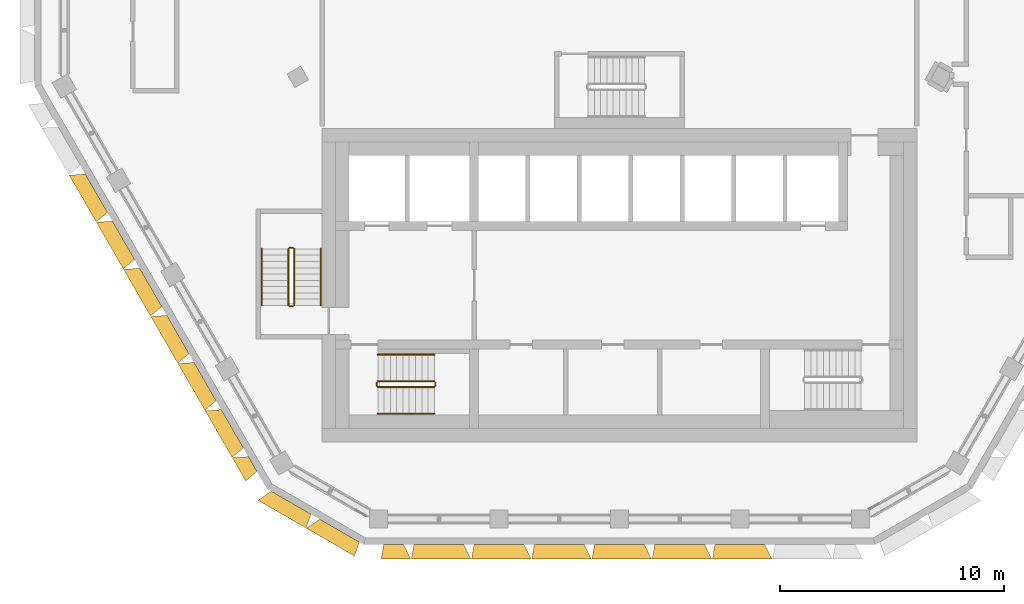
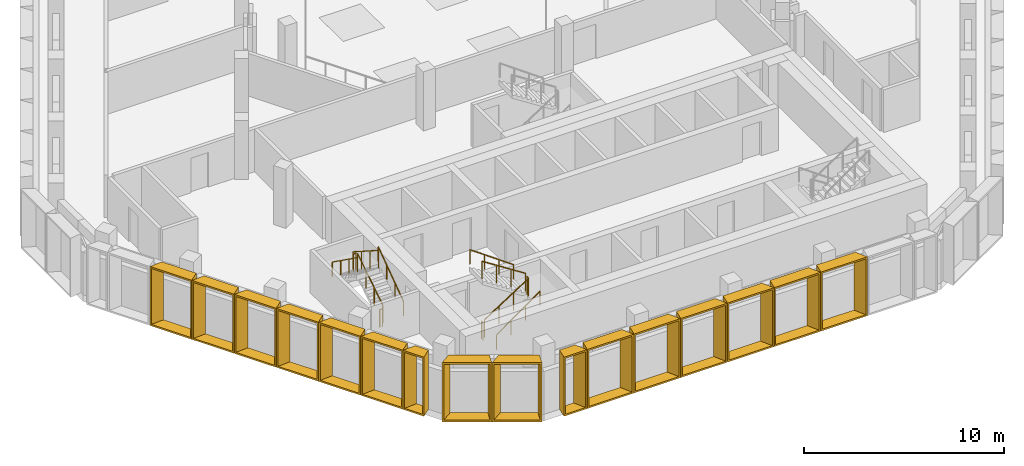
# One storey, part 20 of 24: 16 shading devices, 12 railings.
"""IFC4 building model written with IfcOpenShell, lengths in metres."""

import ifcopenshell
import ifcopenshell.guid

model = None  # the IFC model being written
_history = None  # IfcOwnerHistory: only IFC2X3 demands one
_inside = {}  # id of a spatial element -> (the spatial element, [elements in it])
_under = {}  # id of a project, library or spatial element -> (it, [spatial elements below it])
_declared = {}  # id of a project -> (the project, [libraries it declares])
_typed = {}  # id of a type object -> (the type object, [elements of that type])
_made_of = {}  # id of a material, layer set ... -> (it, [elements and type objects made of it])


def new_model(schema):
    """Start an empty IFC model of exactly this schema.

    Asked for "IFC4X3", IfcOpenShell would pick the latest addendum, in which some entities
    have other attributes; the version numbers below select the first issue.
    IFC2X3 requires an IfcOwnerHistory on every rooted entity: one is made here for all.
    """
    global model, _history
    if schema == "IFC4X3":
        model = ifcopenshell.file(schema_version=(4, 3, 0, 0))
    else:
        model = ifcopenshell.file(schema=schema)
    _inside.clear()
    _under.clear()
    _declared.clear()
    _typed.clear()
    _made_of.clear()
    _history = None
    if model.schema == "IFC2X3":
        org = make("IfcOrganization", Name="unknown")
        user = make(
            "IfcPersonAndOrganization",
            ThePerson=make("IfcPerson", FamilyName="unknown"),
            TheOrganization=org,
        )
        app = make(
            "IfcApplication",
            ApplicationDeveloper=org,
            Version="unknown",
            ApplicationFullName="unknown",
            ApplicationIdentifier="unknown",
        )
        _history = make(
            "IfcOwnerHistory",
            OwningUser=user,
            OwningApplication=app,
            ChangeAction="ADDED",
            CreationDate=0,
        )
    return model


def make(cls, **values):
    """One entity of the class cls with the attributes given. An attribute that is None is left unset."""
    return model.create_entity(
        cls, **{name: value for name, value in values.items() if value is not None}
    )


def entity(cls, *values):
    """Any entity or typed value of the class cls, its attributes in the order of the schema. None: left unset."""
    e = model.create_entity(cls)
    for i, value in enumerate(values):
        if value is not None:
            e[i] = value
    return e


def rooted(cls, **values):
    """An entity with a GlobalId (a new one), such as an element, a storey or a relation."""
    return make(cls, GlobalId=ifcopenshell.guid.new(), OwnerHistory=_history, **values)


def si_unit(unit_type, name, prefix=None):
    """IfcSIUnit, for example si_unit("LENGTHUNIT", "METRE", prefix="MILLI")."""
    return make("IfcSIUnit", UnitType=unit_type, Prefix=prefix, Name=name)


def assignment(units):
    """IfcUnitAssignment: the units of a project."""
    return None if units is None else make("IfcUnitAssignment", Units=units)


def point(xyz):
    """IfcCartesianPoint."""
    return None if xyz is None else make("IfcCartesianPoint", Coordinates=xyz)


def direction(xyz):
    """IfcDirection."""
    return None if xyz is None else make("IfcDirection", DirectionRatios=xyz)


def frame(location, z_axis=None, x_axis=None):
    """IfcAxis2Placement3D, a coordinate frame: its origin and axes. An axis left out is left unset."""
    return make(
        "IfcAxis2Placement3D",
        Location=point(location),
        Axis=direction(z_axis),
        RefDirection=direction(x_axis),
    )


def frame_2d(location, x_axis=None):
    """IfcAxis2Placement2D, a coordinate frame in the plane: its origin and x axis."""
    return make(
        "IfcAxis2Placement2D", Location=point(location), RefDirection=direction(x_axis)
    )


def origin():
    """The frame at (0, 0, 0) with its axes left unset."""
    return frame((0.0, 0.0, 0.0))


def origin_2d():
    """The frame at (0, 0) in the plane with its x axis left unset."""
    return frame_2d((0.0, 0.0))


def place(relative_to, where):
    """IfcLocalPlacement: puts the frame where relative to a parent placement (None: the world)."""
    return make(
        "IfcLocalPlacement", PlacementRelTo=relative_to, RelativePlacement=where
    )


def context(
    kind, dimensions, precision=None, world=None, true_north=None, identifier=None
):
    """IfcGeometricRepresentationContext, for example the 3D "Model" context."""
    return make(
        "IfcGeometricRepresentationContext",
        ContextIdentifier=identifier,
        ContextType=kind,
        CoordinateSpaceDimension=dimensions,
        Precision=precision,
        WorldCoordinateSystem=world,
        TrueNorth=true_north,
    )


def subcontext(parent, identifier, kind, view, scale=None):
    """IfcGeometricRepresentationSubContext, for example "Body" below "Model"."""
    return make(
        "IfcGeometricRepresentationSubContext",
        ContextIdentifier=identifier,
        ContextType=kind,
        ParentContext=parent,
        TargetScale=scale,
        TargetView=view,
    )


def project(units=None, contexts=None):
    """IfcProject with its units and contexts."""
    return rooted(
        "IfcProject",
        Name="project",
        RepresentationContexts=contexts,
        UnitsInContext=assignment(units),
    )


def spatial(cls, under=None, at=None, **own):
    """A site, building, storey or space (cls), placed at a placement, below another one or the project."""
    s = rooted(cls, ObjectPlacement=at, **own)
    if under is not None:
        _under.setdefault(under.id(), (under, []))[1].append(s)
    return s


def profile(cls, at=None, kind="AREA", **sizes):
    """A parametric profile (cls). Its sizes go by their IFC names, for example OverallWidth=200.0."""
    return make(cls, ProfileType=kind, Position=at, **sizes)


def rectangle(**sizes):
    """IfcRectangleProfileDef."""
    return profile("IfcRectangleProfileDef", **sizes)


def extrude(swept, where, along, depth):
    """IfcExtrudedAreaSolid: the profile swept, set in the frame where, extruded along a direction by depth."""
    return make(
        "IfcExtrudedAreaSolid",
        SweptArea=swept,
        Position=where,
        ExtrudedDirection=direction(along),
        Depth=depth,
    )


def shape(context_of_items, identifier, shape_type, items):
    """IfcShapeRepresentation: the items that make up one representation, for example the "Body"."""
    return make(
        "IfcShapeRepresentation",
        ContextOfItems=context_of_items,
        RepresentationIdentifier=identifier,
        RepresentationType=shape_type,
        Items=items,
    )


def source(mapping_origin, context_of_items, identifier, shape_type, items):
    """IfcRepresentationMap: a shape defined once, which mapped items show again and again."""
    return make(
        "IfcRepresentationMap",
        MappingOrigin=mapping_origin,
        MappedRepresentation=shape(context_of_items, identifier, shape_type, items),
    )


def transform(
    local_origin,
    x_axis=None,
    y_axis=None,
    z_axis=None,
    scale=None,
    scale2=None,
    scale3=None,
    uniform=True,
):
    """IfcCartesianTransformationOperator3D, or its non-uniform kind. x_axis, y_axis, z_axis: its Axis1, 2, 3."""
    if uniform:
        return make(
            "IfcCartesianTransformationOperator3D",
            Axis1=direction(x_axis),
            Axis2=direction(y_axis),
            LocalOrigin=point(local_origin),
            Scale=scale,
            Axis3=direction(z_axis),
        )
    return make(
        "IfcCartesianTransformationOperator3DnonUniform",
        Axis1=direction(x_axis),
        Axis2=direction(y_axis),
        LocalOrigin=point(local_origin),
        Scale=scale,
        Axis3=direction(z_axis),
        Scale2=scale2,
        Scale3=scale3,
    )


def mapped(mapping_source, mapping_target):
    """IfcMappedItem: shows the shape of a source again, moved by a transform."""
    return make(
        "IfcMappedItem", MappingSource=mapping_source, MappingTarget=mapping_target
    )


def material(Name=None, Category=None):
    """IfcMaterial."""
    return make("IfcMaterial", Name=Name, Category=Category)


def made_of(thing, what):
    """Note that an element or type object is made of a material, layer set ...; save() writes the relation."""
    if what is not None:
        _made_of.setdefault(what.id(), (what, []))[1].append(thing)
    return thing


def type_object(cls, material=None, **own):
    """A type object (cls), such as IfcWallType, which elements share."""
    return made_of(rooted(cls, **own), material)


def type_shapes(of_type, sources):
    """Give a type object the sources (RepresentationMaps) that its elements show as mapped items."""
    of_type.RepresentationMaps = sources


def element(
    cls,
    number,
    at=None,
    inside=None,
    cuts=None,
    type_object=None,
    material=None,
    context=None,
    identifier="Body",
    shape_type=None,
    held_by="IfcProductDefinitionShape",
    body=None,
    shapes=None,
    **own,
):
    """One element of the class cls, such as IfcWall. Its Tag is "e" and its number.

    at: its placement. inside: the storey or other place that contains it. cuts: it is an
    opening in that element (IfcRelVoidsElement). A single representation is given by context,
    identifier, shape_type and body (its items); several are given by shapes. held_by: the class
    of the entity that holds the representations. save() writes the other relations.
    """
    e = rooted(cls, Tag="e%d" % number, ObjectPlacement=at, **own)
    if body is not None:
        shapes = [shape(context, identifier, shape_type, body)]
    if shapes is not None:
        e.Representation = make(held_by, Representations=shapes)
    if inside is not None:
        _inside.setdefault(inside.id(), (inside, []))[1].append(e)
    if cuts is not None:
        rooted(
            "IfcRelVoidsElement", RelatingBuildingElement=cuts, RelatedOpeningElement=e
        )
    if type_object is not None:
        _typed.setdefault(type_object.id(), (type_object, []))[1].append(e)
    return made_of(e, material)


def aggregate(whole, parts):
    """IfcRelAggregates: a whole, such as a stair, and the parts it consists of."""
    return rooted("IfcRelAggregates", RelatingObject=whole, RelatedObjects=parts)


def save(model, path):
    """Write the relations noted so far, then the file.

    IfcRelAggregates (storeys below a building ...), IfcRelContainedInSpatialStructure (elements
    in a storey), IfcRelDefinesByType, IfcRelAssociatesMaterial and IfcRelDeclares: one each for
    every whole, place, type object, material and project.
    """
    for whole, parts in _under.values():
        aggregate(whole, parts)
    for where, things in _inside.values():
        rooted(
            "IfcRelContainedInSpatialStructure",
            RelatedElements=things,
            RelatingStructure=where,
        )
    for kind, things in _typed.values():
        rooted("IfcRelDefinesByType", RelatedObjects=things, RelatingType=kind)
    for what, things in _made_of.values():
        rooted("IfcRelAssociatesMaterial", RelatedObjects=things, RelatingMaterial=what)
    for by, libraries in _declared.values():
        rooted("IfcRelDeclares", RelatingContext=by, RelatedDefinitions=libraries)
    model.write(path)


model = new_model("IFC4")

# Units and contexts
model_context = context("Model", 3, precision=1e-05, world=origin(), true_north=direction((0.0, 1.0)))
body_context = subcontext(model_context, "Body", "Model", "MODEL_VIEW")
ifc_project = project(units=[si_unit("LENGTHUNIT", "METRE"), si_unit("AREAUNIT", "SQUARE_METRE"), si_unit("VOLUMEUNIT", "CUBIC_METRE"), si_unit("PLANEANGLEUNIT", "RADIAN"), si_unit("MASSUNIT", "GRAM", prefix="KILO")], contexts=[model_context])

# Site, building, storey
site_placement = place(None, origin())
site = spatial("IfcSite", under=ifc_project, at=site_placement, CompositionType="ELEMENT")
building_placement = place(site_placement, origin())
building = spatial("IfcBuilding", under=site, at=building_placement, Name="Beryl Residences", CompositionType="ELEMENT")
storey_placement = place(building_placement, frame((0.0, 0.0, 199.199951171875)))
storey = spatial("IfcBuildingStorey", under=building, at=storey_placement, Name="L61", CompositionType="ELEMENT", Elevation=199.199951171875)

# Shading devices
ifc_material_1 = material(Name="Aluminium pale anodised", Category="aluminium")
shading_device_type_1 = type_object("IfcShadingDeviceType", Name="FR122-65B-H36 OUTER SKIN frame 650 mm deep, splay 26/10 deg, 1220 x 3600 mm cell", PredefinedType="USERDEFINED", material=ifc_material_1)
cartesian_point_1 = entity("IfcCartesianPoint", [-0.384033203125, 0.0])
cartesian_point_2 = entity("IfcCartesianPoint", [-0.294921875, 0.10009765625])
cartesian_point_3 = entity("IfcCartesianPoint", [-0.700927734375, 0.0])
cartesian_point_4 = entity("IfcCartesianPoint", [-0.612060546875, 0.10009765625])
shared_shape_1 = source(origin(), body_context, "Body", "SweptSolid", [
    entity("IfcExtrudedAreaSolidTapered", entity("IfcArbitraryProfileDefWithVoids", "AREA", None, entity("IfcPolyline", [cartesian_point_1, entity("IfcCartesianPoint", [0.384033203125, 0.0]), entity("IfcCartesianPoint", [0.384033203125, 3.60009765625]), entity("IfcCartesianPoint", [-0.384033203125, 3.60009765625]), cartesian_point_1]), [entity("IfcPolyline", [cartesian_point_2, entity("IfcCartesianPoint", [0.302734375, 0.10009765625]), entity("IfcCartesianPoint", [0.302734375, 3.5]), entity("IfcCartesianPoint", [-0.294921875, 3.5]), cartesian_point_2])]), entity("IfcAxis2Placement3D", entity("IfcCartesianPoint", [0.0, 0.0, 0.0]), entity("IfcDirection", [0.0, 1.0, 0.0]), entity("IfcDirection", [-1.0, 0.0, 0.0])), entity("IfcDirection", [0.0, 0.0, 1.0]), 0.64990234375, entity("IfcArbitraryProfileDefWithVoids", "AREA", None, entity("IfcPolyline", [cartesian_point_3, entity("IfcCartesianPoint", [0.49853515625, 0.0]), entity("IfcCartesianPoint", [0.49853515625, 3.60009765625]), entity("IfcCartesianPoint", [-0.700927734375, 3.60009765625]), cartesian_point_3]), [entity("IfcPolyline", [cartesian_point_4, entity("IfcCartesianPoint", [0.41748046875, 0.10009765625]), entity("IfcCartesianPoint", [0.41748046875, 3.5]), entity("IfcCartesianPoint", [-0.612060546875, 3.5]), cartesian_point_4])])),
])
type_shapes(shading_device_type_1, [shared_shape_1])
shading_device_1_placement = place(storey_placement, frame((-16.39794921875, -19.9970703125, 0.0), z_axis=(0.0, 0.0, 1.0), x_axis=(-0.5, 0.866025403784, 0.0)))
element("IfcShadingDevice", 1, at=shading_device_1_placement, inside=storey, type_object=shading_device_type_1, Name="FR122-65B-H36 frame L61 SW 9", ObjectType="OUTER SKIN", PredefinedType="USERDEFINED", context=body_context, shape_type="MappedRepresentation", body=[
    mapped(shared_shape_1, transform((0.0, 0.0, 0.0))),
])
ifc_material_2 = material(Name="Aluminium pale anodised", Category="aluminium")
shading_device_type_2 = type_object("IfcShadingDeviceType", Name="FR135-65C-H36 OUTER SKIN frame 650 mm deep, splay 10/26 deg, 1350 x 3600 mm cell", PredefinedType="USERDEFINED", material=ifc_material_2)
cartesian_point_5 = entity("IfcCartesianPoint", [-0.448974609375, 0.0])
cartesian_point_6 = entity("IfcCartesianPoint", [-0.36767578125, 0.10009765625])
cartesian_point_7 = entity("IfcCartesianPoint", [-0.563720703125, 0.0])
cartesian_point_8 = entity("IfcCartesianPoint", [-0.482421875, 0.10009765625])
shared_shape_2 = source(origin(), body_context, "Body", "SweptSolid", [
    entity("IfcExtrudedAreaSolidTapered", entity("IfcArbitraryProfileDefWithVoids", "AREA", None, entity("IfcPolyline", [cartesian_point_5, entity("IfcCartesianPoint", [0.448974609375, 0.0]), entity("IfcCartesianPoint", [0.448974609375, 3.60009765625]), entity("IfcCartesianPoint", [-0.448974609375, 3.60009765625]), cartesian_point_5]), [entity("IfcPolyline", [cartesian_point_6, entity("IfcCartesianPoint", [0.360107421875, 0.10009765625]), entity("IfcCartesianPoint", [0.360107421875, 3.5]), entity("IfcCartesianPoint", [-0.36767578125, 3.5]), cartesian_point_6])]), entity("IfcAxis2Placement3D", entity("IfcCartesianPoint", [0.0, 0.0, 0.0]), entity("IfcDirection", [0.0, 1.0, 0.0]), entity("IfcDirection", [-1.0, 0.0, 0.0])), entity("IfcDirection", [0.0, 0.0, 1.0]), 0.64990234375, entity("IfcArbitraryProfileDefWithVoids", "AREA", None, entity("IfcPolyline", [cartesian_point_7, entity("IfcCartesianPoint", [0.76611328125, 0.0]), entity("IfcCartesianPoint", [0.76611328125, 3.60009765625]), entity("IfcCartesianPoint", [-0.563720703125, 3.60009765625]), cartesian_point_7]), [entity("IfcPolyline", [cartesian_point_8, entity("IfcCartesianPoint", [0.677001953125, 0.10009765625]), entity("IfcCartesianPoint", [0.677001953125, 3.5]), entity("IfcCartesianPoint", [-0.482421875, 3.5]), cartesian_point_8])])),
])
type_shapes(shading_device_type_2, [shared_shape_2])
shading_device_2_placement = place(storey_placement, frame((-10.093994140625, -23.60009765625, 0.0), z_axis=(0.0, 0.0, 1.0), x_axis=(-1.0, 0.0, 0.0)))
element("IfcShadingDevice", 2, at=shading_device_2_placement, inside=storey, type_object=shading_device_type_2, Name="FR135-65C-H36 frame L61 S 1", ObjectType="OUTER SKIN", PredefinedType="USERDEFINED", context=body_context, shape_type="MappedRepresentation", body=[
    mapped(shared_shape_2, transform((0.0, 0.0, 0.0))),
])
ifc_material_3 = material(Name="Aluminium pale anodised", Category="aluminium")
shading_device_type_3 = type_object("IfcShadingDeviceType", Name="FR243-65B-H36 OUTER SKIN frame 650 mm deep, splay 26/10 deg, 2430 x 3600 mm cell", PredefinedType="USERDEFINED", material=ifc_material_3)
cartesian_point_9 = entity("IfcCartesianPoint", [-0.989013671875, 0.0])
cartesian_point_10 = entity("IfcCartesianPoint", [-0.89990234375, 0.10009765625])
cartesian_point_11 = entity("IfcCartesianPoint", [-1.305908203125, 0.0])
cartesian_point_12 = entity("IfcCartesianPoint", [-1.217041015625, 0.10009765625])
shared_shape_3 = source(origin(), body_context, "Body", "SweptSolid", [
    entity("IfcExtrudedAreaSolidTapered", entity("IfcArbitraryProfileDefWithVoids", "AREA", None, entity("IfcPolyline", [cartesian_point_9, entity("IfcCartesianPoint", [0.989013671875, 0.0]), entity("IfcCartesianPoint", [0.989013671875, 3.60009765625]), entity("IfcCartesianPoint", [-0.989013671875, 3.60009765625]), cartesian_point_9]), [entity("IfcPolyline", [cartesian_point_10, entity("IfcCartesianPoint", [0.90771484375, 0.10009765625]), entity("IfcCartesianPoint", [0.90771484375, 3.5]), entity("IfcCartesianPoint", [-0.89990234375, 3.5]), cartesian_point_10])]), entity("IfcAxis2Placement3D", entity("IfcCartesianPoint", [0.0, 0.0, 0.0]), entity("IfcDirection", [0.0, 1.0, 0.0]), entity("IfcDirection", [-1.0, 0.0, 0.0])), entity("IfcDirection", [0.0, 0.0, 1.0]), 0.64990234375, entity("IfcArbitraryProfileDefWithVoids", "AREA", None, entity("IfcPolyline", [cartesian_point_11, entity("IfcCartesianPoint", [1.103515625, 0.0]), entity("IfcCartesianPoint", [1.103515625, 3.60009765625]), entity("IfcCartesianPoint", [-1.305908203125, 3.60009765625]), cartesian_point_11]), [entity("IfcPolyline", [cartesian_point_12, entity("IfcCartesianPoint", [1.0224609375, 0.10009765625]), entity("IfcCartesianPoint", [1.0224609375, 3.5]), entity("IfcCartesianPoint", [-1.217041015625, 3.5]), cartesian_point_12])])),
])
type_shapes(shading_device_type_3, [shared_shape_3])
for number, where, z_axis, x_axis, name in (
    (3, (-23.388916015625, -7.886962890625, 0.0), (0.0, 0.0, 1.0), (-0.5, 0.866025403784, 0.0), "FR243-65B-H36 frame L61 SW 3"),
    (4, (-22.173095703125, -9.992919921875, 0.0), (0.0, 0.0, 1.0), (-0.5, 0.866025403784, 0.0), "FR243-65B-H36 frame L61 SW 4"),
    (5, (-20.95703125, -12.09912109375, 0.0), (0.0, 0.0, 1.0), (-0.5, 0.866025403784, 0.0), "FR243-65B-H36 frame L61 SW 5"),
    (6, (-19.741943359375, -14.205078125, 0.0), (0.0, 0.0, 1.0), (-0.5, 0.866025403784, 0.0), "FR243-65B-H36 frame L61 SW 6"),
    (7, (-18.52587890625, -16.31103515625, 0.0), (0.0, 0.0, 1.0), (-0.5, 0.866025403784, 0.0), "FR243-65B-H36 frame L61 SW 7"),
    (8, (-17.31005859375, -18.41796875, 0.0), (0.0, 0.0, 1.0), (-0.5, 0.866025403784, 0.0), "FR243-65B-H36 frame L61 SW 8"),
):
    element("IfcShadingDevice", number, at=place(storey_placement, frame(where, z_axis=z_axis, x_axis=x_axis)), inside=storey, type_object=shading_device_type_3, Name=name, ObjectType="OUTER SKIN", PredefinedType="USERDEFINED", context=body_context, shape_type="MappedRepresentation", body=[
        mapped(shared_shape_3, transform((0.0, 0.0, 0.0))),
    ])
ifc_material_4 = material(Name="Aluminium pale anodised", Category="aluminium")
shading_device_type_4 = type_object("IfcShadingDeviceType", Name="FR250-65B-H36 OUTER SKIN frame 650 mm deep, splay 26/10 deg, 2500 x 3600 mm cell", PredefinedType="USERDEFINED", material=ifc_material_4)
cartesian_point_13 = entity("IfcCartesianPoint", [-1.02392578125, 0.0])
cartesian_point_14 = entity("IfcCartesianPoint", [-0.93505859375, 0.10009765625])
cartesian_point_15 = entity("IfcCartesianPoint", [-1.341064453125, 0.0])
cartesian_point_16 = entity("IfcCartesianPoint", [-1.251953125, 0.10009765625])
shared_shape_4 = source(origin(), body_context, "Body", "SweptSolid", [
    entity("IfcExtrudedAreaSolidTapered", entity("IfcArbitraryProfileDefWithVoids", "AREA", None, entity("IfcPolyline", [cartesian_point_13, entity("IfcCartesianPoint", [1.02392578125, 0.0]), entity("IfcCartesianPoint", [1.02392578125, 3.60009765625]), entity("IfcCartesianPoint", [-1.02392578125, 3.60009765625]), cartesian_point_13]), [entity("IfcPolyline", [cartesian_point_14, entity("IfcCartesianPoint", [0.94287109375, 0.10009765625]), entity("IfcCartesianPoint", [0.94287109375, 3.5]), entity("IfcCartesianPoint", [-0.93505859375, 3.5]), cartesian_point_14])]), entity("IfcAxis2Placement3D", entity("IfcCartesianPoint", [0.0, 0.0, 0.0]), entity("IfcDirection", [0.0, 1.0, 0.0]), entity("IfcDirection", [-1.0, 0.0, 0.0])), entity("IfcDirection", [0.0, 0.0, 1.0]), 0.64990234375, entity("IfcArbitraryProfileDefWithVoids", "AREA", None, entity("IfcPolyline", [cartesian_point_15, entity("IfcCartesianPoint", [1.138671875, 0.0]), entity("IfcCartesianPoint", [1.138671875, 3.60009765625]), entity("IfcCartesianPoint", [-1.341064453125, 3.60009765625]), cartesian_point_15]), [entity("IfcPolyline", [cartesian_point_16, entity("IfcCartesianPoint", [1.057373046875, 0.10009765625]), entity("IfcCartesianPoint", [1.057373046875, 3.5]), entity("IfcCartesianPoint", [-1.251953125, 3.5]), cartesian_point_16])])),
])
type_shapes(shading_device_type_4, [shared_shape_4])
for number, where, z_axis, x_axis, name in (
    (9, (-14.677978515625, -21.72509765625, 0.0), (0.0, 0.0, 1.0), (-0.866025403784, 0.5, 0.0), "FR250-65B-H36 frame L61 SW-S 1"),
    (10, (-12.513916015625, -22.97509765625, 0.0), (0.0, 0.0, 1.0), (-0.866025403784, 0.5, 0.0), "FR250-65B-H36 frame L61 SW-S 2"),
):
    element("IfcShadingDevice", number, at=place(storey_placement, frame(where, z_axis=z_axis, x_axis=x_axis)), inside=storey, type_object=shading_device_type_4, Name=name, ObjectType="OUTER SKIN", PredefinedType="USERDEFINED", context=body_context, shape_type="MappedRepresentation", body=[
        mapped(shared_shape_4, transform((0.0, 0.0, 0.0))),
    ])
ifc_material_5 = material(Name="Aluminium pale anodised", Category="aluminium")
shading_device_type_5 = type_object("IfcShadingDeviceType", Name="FR269-65C-H36 OUTER SKIN frame 650 mm deep, splay 10/26 deg, 2690 x 3600 mm cell", PredefinedType="USERDEFINED", material=ifc_material_5)
cartesian_point_17 = entity("IfcCartesianPoint", [-1.118896484375, 0.0])
cartesian_point_18 = entity("IfcCartesianPoint", [-1.037841796875, 0.10009765625])
cartesian_point_19 = entity("IfcCartesianPoint", [-1.233642578125, 0.0])
cartesian_point_20 = entity("IfcCartesianPoint", [-1.15234375, 0.10009765625])
shared_shape_5 = source(origin(), body_context, "Body", "SweptSolid", [
    entity("IfcExtrudedAreaSolidTapered", entity("IfcArbitraryProfileDefWithVoids", "AREA", None, entity("IfcPolyline", [cartesian_point_17, entity("IfcCartesianPoint", [1.118896484375, 0.0]), entity("IfcCartesianPoint", [1.118896484375, 3.60009765625]), entity("IfcCartesianPoint", [-1.118896484375, 3.60009765625]), cartesian_point_17]), [entity("IfcPolyline", [cartesian_point_18, entity("IfcCartesianPoint", [1.030029296875, 0.10009765625]), entity("IfcCartesianPoint", [1.030029296875, 3.5]), entity("IfcCartesianPoint", [-1.037841796875, 3.5]), cartesian_point_18])]), entity("IfcAxis2Placement3D", entity("IfcCartesianPoint", [0.0, 0.0, 0.0]), entity("IfcDirection", [0.0, 1.0, 0.0]), entity("IfcDirection", [-1.0, 0.0, 0.0])), entity("IfcDirection", [0.0, 0.0, 1.0]), 0.64990234375, entity("IfcArbitraryProfileDefWithVoids", "AREA", None, entity("IfcPolyline", [cartesian_point_19, entity("IfcCartesianPoint", [1.43603515625, 0.0]), entity("IfcCartesianPoint", [1.43603515625, 3.60009765625]), entity("IfcCartesianPoint", [-1.233642578125, 3.60009765625]), cartesian_point_19]), [entity("IfcPolyline", [cartesian_point_20, entity("IfcCartesianPoint", [1.346923828125, 0.10009765625]), entity("IfcCartesianPoint", [1.346923828125, 3.5]), entity("IfcCartesianPoint", [-1.15234375, 3.5]), cartesian_point_20])])),
])
type_shapes(shading_device_type_5, [shared_shape_5])
for number, where, z_axis, x_axis, name in (
    (11, (-8.074951171875, -23.60009765625, 0.0), (0.0, 0.0, 1.0), (-1.0, 0.0, 0.0), "FR269-65C-H36 frame L61 S 2"),
    (12, (-5.383056640625, -23.60009765625, 0.0), (0.0, 0.0, 1.0), (-1.0, 0.0, 0.0), "FR269-65C-H36 frame L61 S 3"),
    (13, (-2.69091796875, -23.60009765625, 0.0), (0.0, 0.0, 1.0), (-1.0, 0.0, 0.0), "FR269-65C-H36 frame L61 S 4"),
    (14, (0.0009765625, -23.60009765625, 0.0), (0.0, 0.0, 1.0), (-1.0, 0.0, 0.0), "FR269-65C-H36 frame L61 S 5"),
    (15, (2.693115234375, -23.60009765625, 0.0), (0.0, 0.0, 1.0), (-1.0, 0.0, 0.0), "FR269-65C-H36 frame L61 S 6"),
    (16, (5.385009765625, -23.60009765625, 0.0), (0.0, 0.0, 1.0), (-1.0, 0.0, 0.0), "FR269-65C-H36 frame L61 S 7"),
):
    element("IfcShadingDevice", number, at=place(storey_placement, frame(where, z_axis=z_axis, x_axis=x_axis)), inside=storey, type_object=shading_device_type_5, Name=name, ObjectType="OUTER SKIN", PredefinedType="USERDEFINED", context=body_context, shape_type="MappedRepresentation", body=[
        mapped(shared_shape_5, transform((0.0, 0.0, 0.0))),
    ])

# Railings
ifc_material_6 = material(Name="Stainless steel balustrade with glass infill", Category="steel")
railing_type_1 = type_object("IfcRailingType", Name="SG1 stair guard 1100 mm", PredefinedType="GUARDRAIL", material=ifc_material_6)
railing_1_placement = place(storey_placement, frame((-10.800048828125, -16.550048828125, 0.179931640625)))
element("IfcRailing", 17, at=railing_1_placement, inside=storey, type_object=railing_type_1, Name="L61 ST-1 stair guard 1", PredefinedType="GUARDRAIL", context=body_context, shape_type="SweptSolid", body=[
    extrude(rectangle(XDim=0.048095703125, YDim=0.048095703125, at=origin_2d()), frame((0.0, 0.0, 1.076171875), z_axis=(0.841162588446, 0.0, 0.540782303519), x_axis=(0.0, 1.0, 0.0)), (0.0, 0.0, 1.0), 2.995849609375),
    extrude(rectangle(XDim=0.0419921875, YDim=0.0419921875, at=origin_2d()), origin(), (0.0, 0.0, 1.0), 1.052001953125),
    extrude(rectangle(XDim=0.0419921875, YDim=0.0419921875, at=origin_2d()), frame((0.840087890625, 0.0, 0.5400390625)), (0.0, 0.0, 1.0), 1.052001953125),
    extrude(rectangle(XDim=0.0419921875, YDim=0.0419921875, at=origin_2d()), frame((1.679931640625, 0.0, 1.080078125)), (0.0, 0.0, 1.0), 1.052001953125),
    extrude(rectangle(XDim=0.0419921875, YDim=0.0419921875, at=origin_2d()), frame((2.52001953125, 0.0, 1.6201171875)), (0.0, 0.0, 1.0), 1.052001953125),
])
railing_2_placement = place(storey_placement, frame((-8.22998046875, -16.5, 1.800048828125)))
element("IfcRailing", 18, at=railing_2_placement, inside=storey, type_object=railing_type_1, Name="L61 ST-1 stair guard 2", PredefinedType="GUARDRAIL", context=body_context, shape_type="SweptSolid", body=[
    extrude(rectangle(XDim=0.048095703125, YDim=0.048095703125, at=origin_2d()), frame((0.0, 0.0, 1.076171875), z_axis=(0.0, 1.0, 0.0), x_axis=(-1.0, 0.0, 0.0)), (0.0, 0.0, 1.0), 0.14990234375),
    extrude(rectangle(XDim=0.0419921875, YDim=0.0419921875, at=origin_2d()), origin(), (0.0, 0.0, 1.0), 1.052001953125),
    extrude(rectangle(XDim=0.0419921875, YDim=0.0419921875, at=origin_2d()), frame((0.0, 0.14990234375, 0.0)), (0.0, 0.0, 1.0), 1.052001953125),
])
railing_3_placement = place(storey_placement, frame((-8.280029296875, -16.300048828125, 1.97998046875)))
element("IfcRailing", 19, at=railing_3_placement, inside=storey, type_object=railing_type_1, Name="L61 ST-1 stair guard 3", PredefinedType="GUARDRAIL", context=body_context, shape_type="SweptSolid", body=[
    extrude(rectangle(XDim=0.048095703125, YDim=0.048095703125, at=origin_2d()), frame((0.0, 0.0, 1.076171875), z_axis=(-0.841162588446, 0.0, 0.540782303519), x_axis=(0.0, -1.0, 0.0)), (0.0, 0.0, 1.0), 2.995849609375),
    extrude(rectangle(XDim=0.0419921875, YDim=0.0419921875, at=origin_2d()), origin(), (0.0, 0.0, 1.0), 1.052001953125),
    extrude(rectangle(XDim=0.0419921875, YDim=0.0419921875, at=origin_2d()), frame((-0.840087890625, 0.0, 0.5400390625)), (0.0, 0.0, 1.0), 1.052001953125),
    extrude(rectangle(XDim=0.0419921875, YDim=0.0419921875, at=origin_2d()), frame((-1.679931640625, 0.0, 1.080078125)), (0.0, 0.0, 1.0), 1.052001953125),
    extrude(rectangle(XDim=0.0419921875, YDim=0.0419921875, at=origin_2d()), frame((-2.52001953125, 0.0, 1.6201171875)), (0.0, 0.0, 1.0), 1.052001953125),
])
railing_4_placement = place(storey_placement, frame((-10.85009765625, -16.5, 0.0)))
element("IfcRailing", 20, at=railing_4_placement, inside=storey, type_object=railing_type_1, Name="L61 ST-1 stair guard 4", PredefinedType="GUARDRAIL", context=body_context, shape_type="SweptSolid", body=[
    extrude(rectangle(XDim=0.048095703125, YDim=0.048095703125, at=origin_2d()), frame((0.0, 0.0, 1.076171875), z_axis=(0.0, 1.0, 0.0), x_axis=(-1.0, 0.0, 0.0)), (0.0, 0.0, 1.0), 0.14990234375),
    extrude(rectangle(XDim=0.0419921875, YDim=0.0419921875, at=origin_2d()), origin(), (0.0, 0.0, 1.0), 1.052001953125),
    extrude(rectangle(XDim=0.0419921875, YDim=0.0419921875, at=origin_2d()), frame((0.0, 0.14990234375, 0.0)), (0.0, 0.0, 1.0), 1.052001953125),
])
railing_5_placement = place(storey_placement, frame((-14.550048828125, -12.89990234375, 0.179931640625)))
element("IfcRailing", 21, at=railing_5_placement, inside=storey, type_object=railing_type_1, Name="L61 ST-2 stair guard 1", PredefinedType="GUARDRAIL", context=body_context, shape_type="SweptSolid", body=[
    extrude(rectangle(XDim=0.048095703125, YDim=0.048095703125, at=origin_2d()), frame((0.0, 0.0, 1.076171875), z_axis=(0.0, 0.841162588446, 0.540782303519), x_axis=(-1.0, 0.0, 0.0)), (0.0, 0.0, 1.0), 2.995849609375),
    extrude(rectangle(XDim=0.0419921875, YDim=0.0419921875, at=origin_2d()), origin(), (0.0, 0.0, 1.0), 1.052001953125),
    extrude(rectangle(XDim=0.0419921875, YDim=0.0419921875, at=origin_2d()), frame((0.0, 0.840087890625, 0.5400390625)), (0.0, 0.0, 1.0), 1.052001953125),
    extrude(rectangle(XDim=0.0419921875, YDim=0.0419921875, at=origin_2d()), frame((0.0, 1.679931640625, 1.080078125)), (0.0, 0.0, 1.0), 1.052001953125),
    extrude(rectangle(XDim=0.0419921875, YDim=0.0419921875, at=origin_2d()), frame((0.0, 2.52001953125, 1.6201171875)), (0.0, 0.0, 1.0), 1.052001953125),
])
railing_6_placement = place(storey_placement, frame((-14.60009765625, -10.330078125, 1.800048828125)))
element("IfcRailing", 22, at=railing_6_placement, inside=storey, type_object=railing_type_1, Name="L61 ST-2 stair guard 2", PredefinedType="GUARDRAIL", context=body_context, shape_type="SweptSolid", body=[
    extrude(rectangle(XDim=0.048095703125, YDim=0.048095703125, at=origin_2d()), frame((0.0, 0.0, 1.076171875), z_axis=(-1.0, 0.0, 0.0), x_axis=(0.0, -1.0, 0.0)), (0.0, 0.0, 1.0), 0.14990234375),
    extrude(rectangle(XDim=0.0419921875, YDim=0.0419921875, at=origin_2d()), origin(), (0.0, 0.0, 1.0), 1.052001953125),
    extrude(rectangle(XDim=0.0419921875, YDim=0.0419921875, at=origin_2d()), frame((-0.14990234375, 0.0, 0.0)), (0.0, 0.0, 1.0), 1.052001953125),
])
railing_7_placement = place(storey_placement, frame((-14.800048828125, -10.3798828125, 1.97998046875)))
element("IfcRailing", 23, at=railing_7_placement, inside=storey, type_object=railing_type_1, Name="L61 ST-2 stair guard 3", PredefinedType="GUARDRAIL", context=body_context, shape_type="SweptSolid", body=[
    extrude(rectangle(XDim=0.048095703125, YDim=0.048095703125, at=origin_2d()), frame((0.0, 0.0, 1.076171875), z_axis=(0.0, -0.841162588446, 0.540782303519), x_axis=(1.0, 0.0, 0.0)), (0.0, 0.0, 1.0), 2.995849609375),
    extrude(rectangle(XDim=0.0419921875, YDim=0.0419921875, at=origin_2d()), origin(), (0.0, 0.0, 1.0), 1.052001953125),
    extrude(rectangle(XDim=0.0419921875, YDim=0.0419921875, at=origin_2d()), frame((0.0, -0.840087890625, 0.5400390625)), (0.0, 0.0, 1.0), 1.052001953125),
    extrude(rectangle(XDim=0.0419921875, YDim=0.0419921875, at=origin_2d()), frame((0.0, -1.679931640625, 1.080078125)), (0.0, 0.0, 1.0), 1.052001953125),
    extrude(rectangle(XDim=0.0419921875, YDim=0.0419921875, at=origin_2d()), frame((0.0, -2.52001953125, 1.6201171875)), (0.0, 0.0, 1.0), 1.052001953125),
])
railing_8_placement = place(storey_placement, frame((-14.60009765625, -12.949951171875, 0.0)))
element("IfcRailing", 24, at=railing_8_placement, inside=storey, type_object=railing_type_1, Name="L61 ST-2 stair guard 4", PredefinedType="GUARDRAIL", context=body_context, shape_type="SweptSolid", body=[
    extrude(rectangle(XDim=0.048095703125, YDim=0.048095703125, at=origin_2d()), frame((0.0, 0.0, 1.076171875), z_axis=(-1.0, 0.0, 0.0), x_axis=(0.0, -1.0, 0.0)), (0.0, 0.0, 1.0), 0.14990234375),
    extrude(rectangle(XDim=0.0419921875, YDim=0.0419921875, at=origin_2d()), origin(), (0.0, 0.0, 1.0), 1.052001953125),
    extrude(rectangle(XDim=0.0419921875, YDim=0.0419921875, at=origin_2d()), frame((-0.14990234375, 0.0, 0.0)), (0.0, 0.0, 1.0), 1.052001953125),
])
ifc_material_7 = material(Name="Stainless steel handrail", Category="steel")
railing_type_2 = type_object("IfcRailingType", Name="SRL1 stair handrail 900 mm", PredefinedType="HANDRAIL", material=ifc_material_7)
railing_9_placement = place(storey_placement, frame((-10.800048828125, -17.75, 0.179931640625)))
element("IfcRailing", 25, at=railing_9_placement, inside=storey, type_object=railing_type_2, Name="L61 ST-1 stair handrail 1", PredefinedType="HANDRAIL", context=body_context, shape_type="SweptSolid", body=[
    extrude(rectangle(XDim=0.048095703125, YDim=0.048095703125, at=origin_2d()), frame((0.0, 0.0, 0.8759765625), z_axis=(0.813728144527, 0.0, 0.581245650998), x_axis=(0.0, 1.0, 0.0)), (0.0, 0.0, 1.0), 3.096923828125),
    extrude(rectangle(XDim=0.0419921875, YDim=0.0419921875, at=origin_2d()), origin(), (0.0, 0.0, 1.0), 0.851806640625),
    extrude(rectangle(XDim=0.0419921875, YDim=0.0419921875, at=origin_2d()), frame((0.840087890625, 0.0, 0.60009765625)), (0.0, 0.0, 1.0), 0.851806640625),
    extrude(rectangle(XDim=0.0419921875, YDim=0.0419921875, at=origin_2d()), frame((1.679931640625, 0.0, 1.199951171875)), (0.0, 0.0, 1.0), 0.851806640625),
    extrude(rectangle(XDim=0.0419921875, YDim=0.0419921875, at=origin_2d()), frame((2.52001953125, 0.0, 1.800048828125)), (0.0, 0.0, 1.0), 0.851806640625),
])
railing_10_placement = place(storey_placement, frame((-8.280029296875, -15.10009765625, 1.97998046875)))
element("IfcRailing", 26, at=railing_10_placement, inside=storey, type_object=railing_type_2, Name="L61 ST-1 stair handrail 2", PredefinedType="HANDRAIL", context=body_context, shape_type="SweptSolid", body=[
    extrude(rectangle(XDim=0.048095703125, YDim=0.048095703125, at=origin_2d()), frame((0.0, 0.0, 0.8759765625), z_axis=(-0.813728144527, 0.0, 0.581245650998), x_axis=(0.0, -1.0, 0.0)), (0.0, 0.0, 1.0), 3.096923828125),
    extrude(rectangle(XDim=0.0419921875, YDim=0.0419921875, at=origin_2d()), origin(), (0.0, 0.0, 1.0), 0.851806640625),
    extrude(rectangle(XDim=0.0419921875, YDim=0.0419921875, at=origin_2d()), frame((-0.840087890625, 0.0, 0.60009765625)), (0.0, 0.0, 1.0), 0.851806640625),
    extrude(rectangle(XDim=0.0419921875, YDim=0.0419921875, at=origin_2d()), frame((-1.679931640625, 0.0, 1.199951171875)), (0.0, 0.0, 1.0), 0.851806640625),
    extrude(rectangle(XDim=0.0419921875, YDim=0.0419921875, at=origin_2d()), frame((-2.52001953125, 0.0, 1.800048828125)), (0.0, 0.0, 1.0), 0.851806640625),
])
railing_11_placement = place(storey_placement, frame((-13.35009765625, -12.89990234375, 0.179931640625)))
element("IfcRailing", 27, at=railing_11_placement, inside=storey, type_object=railing_type_2, Name="L61 ST-2 stair handrail 1", PredefinedType="HANDRAIL", context=body_context, shape_type="SweptSolid", body=[
    extrude(rectangle(XDim=0.048095703125, YDim=0.048095703125, at=origin_2d()), frame((0.0, 0.0, 0.8759765625), z_axis=(0.0, 0.813728144527, 0.581245650998), x_axis=(-1.0, 0.0, 0.0)), (0.0, 0.0, 1.0), 3.096923828125),
    extrude(rectangle(XDim=0.0419921875, YDim=0.0419921875, at=origin_2d()), origin(), (0.0, 0.0, 1.0), 0.851806640625),
    extrude(rectangle(XDim=0.0419921875, YDim=0.0419921875, at=origin_2d()), frame((0.0, 0.840087890625, 0.60009765625)), (0.0, 0.0, 1.0), 0.851806640625),
    extrude(rectangle(XDim=0.0419921875, YDim=0.0419921875, at=origin_2d()), frame((0.0, 1.679931640625, 1.199951171875)), (0.0, 0.0, 1.0), 0.851806640625),
    extrude(rectangle(XDim=0.0419921875, YDim=0.0419921875, at=origin_2d()), frame((0.0, 2.52001953125, 1.800048828125)), (0.0, 0.0, 1.0), 0.851806640625),
])
railing_12_placement = place(storey_placement, frame((-16.0, -10.3798828125, 1.97998046875)))
element("IfcRailing", 28, at=railing_12_placement, inside=storey, type_object=railing_type_2, Name="L61 ST-2 stair handrail 2", PredefinedType="HANDRAIL", context=body_context, shape_type="SweptSolid", body=[
    extrude(rectangle(XDim=0.048095703125, YDim=0.048095703125, at=origin_2d()), frame((0.0, 0.0, 0.8759765625), z_axis=(0.0, -0.813728144527, 0.581245650998), x_axis=(1.0, 0.0, 0.0)), (0.0, 0.0, 1.0), 3.096923828125),
    extrude(rectangle(XDim=0.0419921875, YDim=0.0419921875, at=origin_2d()), origin(), (0.0, 0.0, 1.0), 0.851806640625),
    extrude(rectangle(XDim=0.0419921875, YDim=0.0419921875, at=origin_2d()), frame((0.0, -0.840087890625, 0.60009765625)), (0.0, 0.0, 1.0), 0.851806640625),
    extrude(rectangle(XDim=0.0419921875, YDim=0.0419921875, at=origin_2d()), frame((0.0, -1.679931640625, 1.199951171875)), (0.0, 0.0, 1.0), 0.851806640625),
    extrude(rectangle(XDim=0.0419921875, YDim=0.0419921875, at=origin_2d()), frame((0.0, -2.52001953125, 1.800048828125)), (0.0, 0.0, 1.0), 0.851806640625),
])

save(model, "model.ifc")
